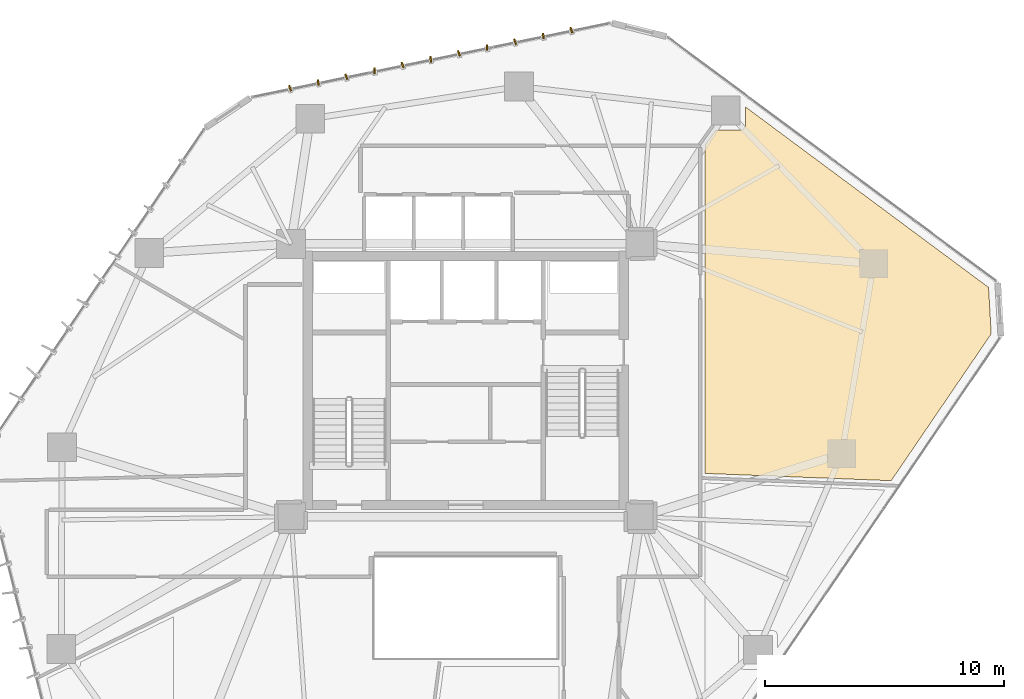
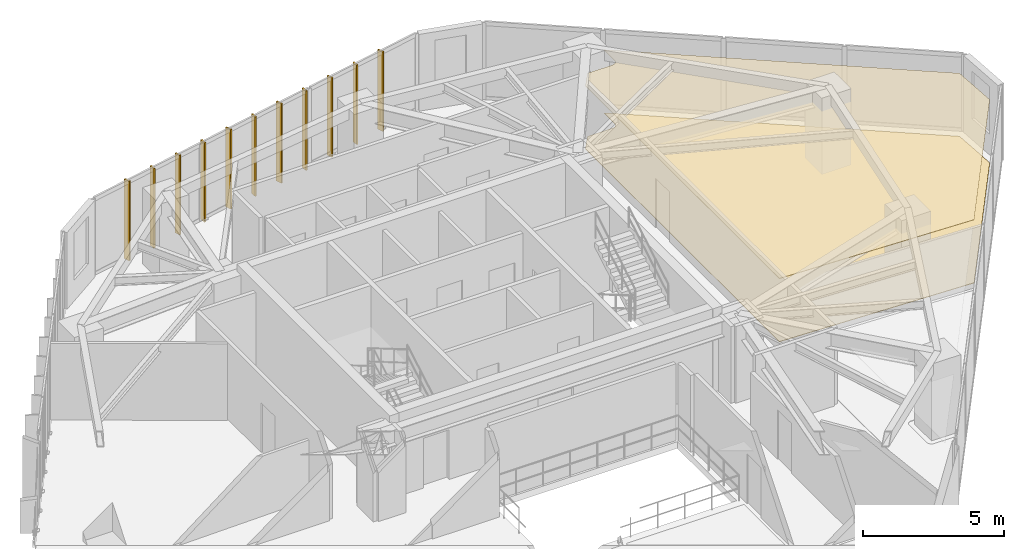
# One storey, part 22 of 22: 11 shading devices, 2 coverings.
"""IFC4 building model written with IfcOpenShell, lengths in metres."""

from ifc_helpers import new_model, si_unit, direction, frame, origin, origin_2d, place, context, subcontext, project, spatial, polyline, rectangle, outline, extrude, source, transform, mapped, material, layer, layer_set, type_object, type_shapes, element, save


model = new_model("IFC4")

# Units and contexts
model_context = context("Model", 3, precision=1e-05, world=origin(), true_north=direction((0.0, 1.0)))
body_context = subcontext(model_context, "Body", "Model", "MODEL_VIEW")
ifc_project = project(units=[si_unit("LENGTHUNIT", "METRE"), si_unit("AREAUNIT", "SQUARE_METRE"), si_unit("VOLUMEUNIT", "CUBIC_METRE"), si_unit("PLANEANGLEUNIT", "RADIAN"), si_unit("MASSUNIT", "GRAM", prefix="KILO")], contexts=[model_context])

# Site, building, storey
site_placement = place(None, origin())
site = spatial("IfcSite", under=ifc_project, at=site_placement, CompositionType="ELEMENT")
building_placement = place(site_placement, origin())
building = spatial("IfcBuilding", under=site, at=building_placement, Name="Talar Marvaseh", CompositionType="ELEMENT")
storey_placement = place(building_placement, frame((0.0, 0.0, 125.39990234375)))
storey = spatial("IfcBuildingStorey", under=building, at=storey_placement, Name="L32", CompositionType="ELEMENT", Elevation=125.39990234375)

# Coverings
ifc_material_1 = material(Name="Mineral Fibre Acoustic Ceiling")
ifc_layer_1 = layer(ifc_material_1, 0.02490234375)
ifc_layer_set_1 = layer_set([ifc_layer_1], Name="Mineral Fibre Acoustic Ceiling")
covering_type_1 = type_object("IfcCoveringType", Name="Perforated Mineral Fibre Acoustic Suspended Ceiling", PredefinedType="CEILING", material=ifc_layer_set_1)
covering_1_placement = place(storey_placement, frame((0.0, 0.0, 2.72021484375)))
element("IfcCovering", 1, at=covering_1_placement, inside=storey, type_object=covering_type_1, Name="L32 Artisan Craft Showroom Acoustic Ceiling", PredefinedType="CEILING", context=body_context, shape_type="SweptSolid", body=[
    extrude(outline(polyline([(37.466064453125, 41.656005859375), (37.485595703125, 41.656982421875), (37.5048828125, 41.659912109375), (37.524169921875, 41.66455078125), (37.54248046875, 41.671142578125), (37.560302734375, 41.6796875), (37.5771484375, 41.689697265625), (37.593017578125, 41.701416015625), (37.607421875, 41.714599609375), (37.622314453125, 41.7294921875), (37.635498046875, 41.744140625), (37.647216796875, 41.760009765625), (37.657470703125, 41.776611328125), (37.665771484375, 41.79443359375), (37.67236328125, 41.81298828125), (37.67724609375, 41.83203125), (37.679931640625, 41.851318359375), (37.680908203125, 41.87109375), (37.680908203125, 42.62548828125), (47.839599609375, 35.082275390625), (47.9521484375, 33.143310546875), (43.773193359375, 27.008056640625), (36.0, 27.310791015625), (36.0, 41.0), (36.0, 41.038818359375), (36.444580078125, 41.656005859375), (37.466064453125, 41.656005859375)])), origin(), (0.0, 0.0, 1.0), 0.02490234375),
])
ifc_material_2 = material(Name="Porcelain Stoneware Tile", Category="masonry")
ifc_layer_2 = layer(ifc_material_2, 0.02001953125)
ifc_layer_set_2 = layer_set([ifc_layer_2], Name="Porcelain Stoneware Tile")
covering_type_2 = type_object("IfcCoveringType", Name="Polished Porcelain Stoneware Gallery Flooring", PredefinedType="FLOORING", material=ifc_layer_set_2)
covering_2_placement = place(storey_placement, origin())
element("IfcCovering", 2, at=covering_2_placement, inside=storey, type_object=covering_type_2, Name="L32 Artisan Craft Showroom Flooring", PredefinedType="FLOORING", context=body_context, shape_type="SweptSolid", body=[
    extrude(outline(polyline([(37.466064453125, 41.656005859375), (37.485595703125, 41.656982421875), (37.5048828125, 41.659912109375), (37.524169921875, 41.66455078125), (37.54248046875, 41.671142578125), (37.560302734375, 41.6796875), (37.5771484375, 41.689697265625), (37.593017578125, 41.701416015625), (37.607421875, 41.714599609375), (37.622314453125, 41.7294921875), (37.635498046875, 41.744140625), (37.647216796875, 41.760009765625), (37.657470703125, 41.776611328125), (37.665771484375, 41.79443359375), (37.67236328125, 41.81298828125), (37.67724609375, 41.83203125), (37.679931640625, 41.851318359375), (37.680908203125, 41.87109375), (37.680908203125, 42.62548828125), (47.839599609375, 35.082275390625), (47.9521484375, 33.143310546875), (43.773193359375, 27.008056640625), (36.0, 27.310791015625), (36.0, 41.0), (36.0, 41.038818359375), (36.444580078125, 41.656005859375), (37.466064453125, 41.656005859375)])), origin(), (0.0, 0.0, 1.0), 0.02001953125),
])

# Shading devices
ifc_material_3 = material(Name="Anodised Champagne Bronze Aluminium", Category="aluminium")
ifc_layer_3 = layer(ifc_material_3, 0.06494140625)
ifc_layer_set_3 = layer_set([ifc_layer_3], Name="Anodised Champagne Bronze Aluminium")
shading_device_type = type_object("IfcShadingDeviceType", Name="Sawtooth Champagne Bronze Vertical Fin 240", PredefinedType="USERDEFINED", material=ifc_layer_set_3)
shared_shape = source(origin(), body_context, "Body", "SweptSolid", [
    extrude(rectangle(XDim=0.239990234375, YDim=0.06494140625, at=origin_2d()), origin(), (0.0, 0.0, 1.0), 3.429931640625),
])
type_shapes(shading_device_type, [shared_shape])
for number, where, z_axis, x_axis, name in (
    (3, (18.662109375, 43.40087890625, -0.11962890625), (0.0, 0.0, 1.0), (-0.336766602676, 0.941588155895, 0.0), "L32 Sawtooth Vertical Solar Fin"),
    (4, (19.83740234375, 43.643798828125, -0.11962890625), (0.0, 0.0, 1.0), (-0.064183966065, 0.9979380835, 0.0), "L32 Sawtooth Vertical Solar Fin"),
    (5, (21.012451171875, 43.88671875, -0.11962890625), (0.0, 0.0, 1.0), (-0.336766602676, 0.941588155895, 0.0), "L32 Sawtooth Vertical Solar Fin"),
    (6, (22.187744140625, 44.1298828125, -0.11962890625), (0.0, 0.0, 1.0), (-0.064183966065, 0.9979380835, 0.0), "L32 Sawtooth Vertical Solar Fin"),
    (7, (23.36279296875, 44.372802734375, -0.11962890625), (0.0, 0.0, 1.0), (-0.336766602676, 0.941588155895, 0.0), "L32 Sawtooth Vertical Solar Fin"),
    (8, (24.537841796875, 44.61572265625, -0.11962890625), (0.0, 0.0, 1.0), (-0.064183966065, 0.9979380835, 0.0), "L32 Sawtooth Vertical Solar Fin"),
    (9, (25.713134765625, 44.858642578125, -0.11962890625), (0.0, 0.0, 1.0), (-0.336766602676, 0.941588155895, 0.0), "L32 Sawtooth Vertical Solar Fin"),
    (10, (26.88818359375, 45.101806640625, -0.11962890625), (0.0, 0.0, 1.0), (-0.064183966065, 0.9979380835, 0.0), "L32 Sawtooth Vertical Solar Fin"),
    (11, (28.0634765625, 45.3447265625, -0.11962890625), (0.0, 0.0, 1.0), (-0.336766602676, 0.941588155895, 0.0), "L32 Sawtooth Vertical Solar Fin"),
    (12, (29.238525390625, 45.587646484375, -0.11962890625), (0.0, 0.0, 1.0), (-0.064183966065, 0.9979380835, 0.0), "L32 Sawtooth Vertical Solar Fin"),
    (13, (30.413818359375, 45.83056640625, -0.11962890625), (0.0, 0.0, 1.0), (-0.336766602676, 0.941588155895, 0.0), "L32 Sawtooth Vertical Solar Fin"),
):
    element("IfcShadingDevice", number, at=place(storey_placement, frame(where, z_axis=z_axis, x_axis=x_axis)), inside=storey, type_object=shading_device_type, Name=name, ObjectType="FIN", PredefinedType="USERDEFINED", context=body_context, shape_type="MappedRepresentation", body=[
        mapped(shared_shape, transform((0.0, 0.0, 0.0), x_axis=(1.0, 0.0, 0.0), y_axis=(0.0, 1.0, 0.0), z_axis=(0.0, 0.0, 1.0), scale=1.0)),
    ])

save(model, "model.ifc")
